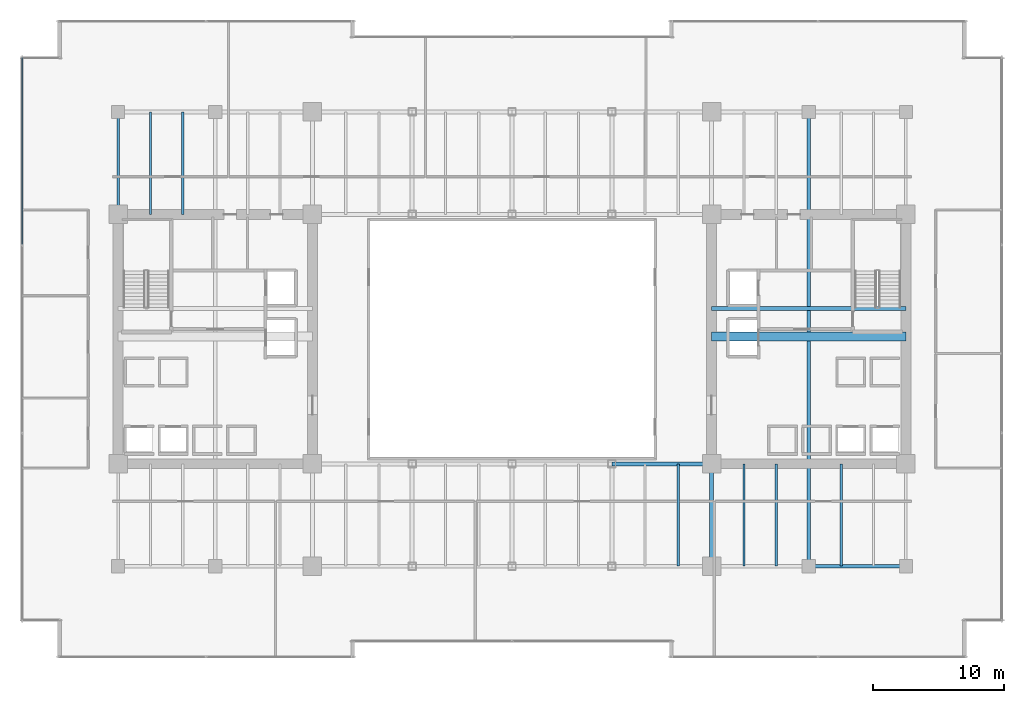
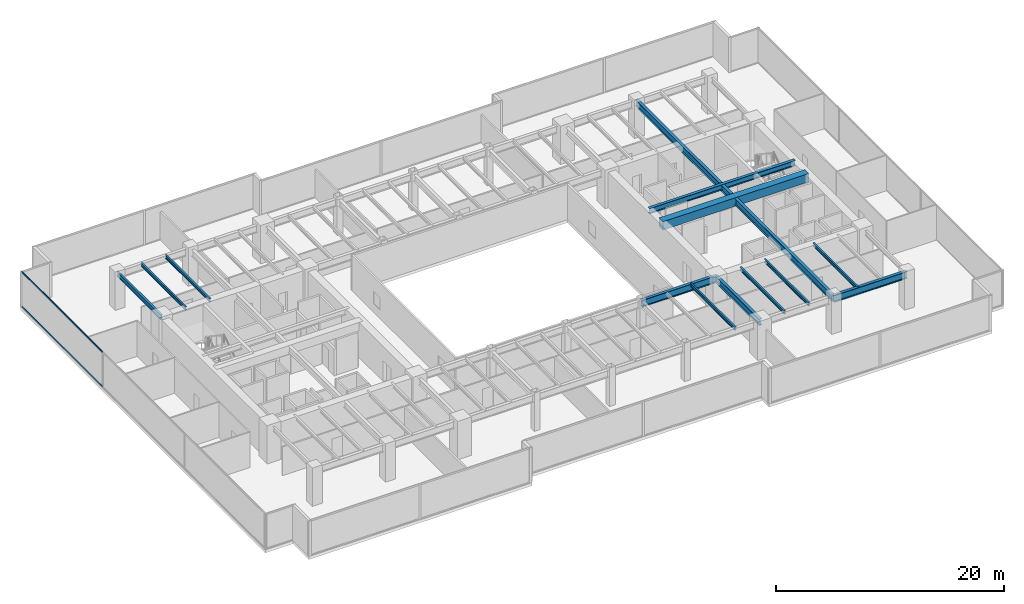
# One storey, part 11 of 35: 13 beams, 2 members, 1 element without a shape of its own.
"""IFC4 building model written with IfcOpenShell, lengths in metres."""

from ifc_helpers import new_model, si_unit, direction, frame, origin, origin_2d, place, context, subcontext, project, spatial, rectangle, hollow_rectangle, i_section, extrude, source, transform, mapped, material, layer, layer_set, material_profile, profile_set, type_object, type_shapes, element, aggregate, save


model = new_model("IFC4")

# Units and contexts
model_context = context("Model", 3, precision=1e-05, world=origin(), true_north=direction((0.0, 1.0)))
body_context = subcontext(model_context, "Body", "Model", "MODEL_VIEW")
ifc_project = project(units=[si_unit("LENGTHUNIT", "METRE"), si_unit("AREAUNIT", "SQUARE_METRE"), si_unit("VOLUMEUNIT", "CUBIC_METRE"), si_unit("PLANEANGLEUNIT", "RADIAN"), si_unit("MASSUNIT", "GRAM", prefix="KILO")], contexts=[model_context])

# Site, building, storey
site_placement = place(None, origin())
site = spatial("IfcSite", under=ifc_project, at=site_placement, CompositionType="ELEMENT")
building_placement = place(site_placement, origin())
building = spatial("IfcBuilding", under=site, at=building_placement, Name="Haelvirn Gate Laboratories", CompositionType="ELEMENT")
storey_placement = place(building_placement, frame((0.0, 0.0, 37.5)))
storey = spatial("IfcBuildingStorey", under=building, at=storey_placement, Name="L09", CompositionType="ELEMENT", Elevation=37.5)

# Beams
ifc_material_1 = material(Name="Concrete C60/75", Category="concrete")
ifc_material_profile_1 = material_profile(ifc_material_1, rectangle(XDim=0.699951171875, YDim=0.89990234375, at=origin_2d()), Name="RCB-700x900")
ifc_profile_set_1 = profile_set([ifc_material_profile_1], Name="Concrete C60/75")
beam_type_1 = type_object("IfcBeamType", Name="BM-RCB-900", PredefinedType="LINTEL", material=ifc_profile_set_1)
shared_shape_1 = source(origin(), body_context, "Body", "SweptSolid", [
    extrude(rectangle(XDim=0.699951171875, YDim=0.89990234375, at=origin_2d()), origin(), (0.0, 0.0, 1.0), 14.7998046875),
])
type_shapes(beam_type_1, [shared_shape_1])
beam_1_placement = place(storey_placement, frame((52.60009765625, 24.5, 3.330078125), z_axis=(1.0, 0.0, 0.0), x_axis=(0.0, 1.0, 0.0)))
element("IfcBeam", 1, at=beam_1_placement, inside=storey, type_object=beam_type_1, Name="L09 East Core Coupling Beam", PredefinedType="LINTEL", context=body_context, shape_type="MappedRepresentation", body=[
    mapped(shared_shape_1, transform((0.0, 0.0, 0.0), scale=1.0)),
])
ifc_material_2 = material(Name="Steel SM355", Category="steel")
ifc_material_profile_2 = material_profile(ifc_material_2, i_section(OverallWidth=0.300048828125, OverallDepth=0.587890625, WebThickness=0.011962890625, FlangeThickness=0.02001953125, at=origin_2d()), Name="H-588x300x12x20")
ifc_profile_set_2 = profile_set([ifc_material_profile_2], Name="Steel SM355")
beam_type_2 = type_object("IfcBeamType", Name="BM-G-588", PredefinedType="BEAM", material=ifc_profile_set_2)
shared_shape_2 = source(origin(), body_context, "Body", "SweptSolid", [
    extrude(i_section(OverallWidth=0.300048828125, OverallDepth=0.587890625, WebThickness=0.011962890625, FlangeThickness=0.02001953125, at=origin_2d()), origin(), (0.0, 0.0, 1.0), 14.7998046875),
])
type_shapes(beam_type_2, [shared_shape_2])
beam_2_placement = place(storey_placement, frame((52.60009765625, 26.6201171875, 3.486083984375), z_axis=(1.0, 0.0, 0.0), x_axis=(0.0, 1.0, 0.0)))
element("IfcBeam", 2, at=beam_2_placement, inside=storey, type_object=beam_type_2, Name="L09 Stair ST2 Landing Header", PredefinedType="BEAM", context=body_context, shape_type="MappedRepresentation", body=[
    mapped(shared_shape_2, transform((0.0, 0.0, 0.0), scale=1.0)),
])
ifc_material_profile_3 = material_profile(ifc_material_2, i_section(OverallWidth=0.300048828125, OverallDepth=0.699951171875, WebThickness=0.012939453125, FlangeThickness=0.02392578125, at=origin_2d()), Name="H-700x300x13x24")
ifc_profile_set_3 = profile_set([ifc_material_profile_3], Name="Steel SM355")
beam_type_3 = type_object("IfcBeamType", Name="BM-G-700", PredefinedType="BEAM", material=ifc_profile_set_3)
shared_shape_3 = source(origin(), body_context, "Body", "SweptSolid", [
    extrude(i_section(OverallWidth=0.300048828125, OverallDepth=0.699951171875, WebThickness=0.012939453125, FlangeThickness=0.02392578125, at=origin_2d()), origin(), (0.0, 0.0, 1.0), 7.800048828125),
])
beam_3_placement = place(storey_placement, frame((52.60009765625, 7.0, 3.429931640625), z_axis=(0.0, 1.0, 0.0), x_axis=(-1.0, 0.0, 0.0)))
element("IfcBeam", 3, at=beam_3_placement, inside=storey, type_object=beam_type_3, Name="L09 Frame Girder X52.6 (7.0-14.8)", PredefinedType="BEAM", context=body_context, shape_type="MappedRepresentation", body=[
    mapped(shared_shape_3, transform((0.0, 0.0, 0.0), scale=1.0)),
])
shared_shape_4 = source(origin(), body_context, "Body", "SweptSolid", [
    extrude(i_section(OverallWidth=0.300048828125, OverallDepth=0.699951171875, WebThickness=0.012939453125, FlangeThickness=0.02392578125, at=origin_2d()), origin(), (0.0, 0.0, 1.0), 34.60009765625),
])
type_shapes(beam_type_3, [shared_shape_3, shared_shape_4])
beam_4_placement = place(storey_placement, frame((60.0, 7.0, 3.429931640625), z_axis=(0.0, 1.0, 0.0), x_axis=(-1.0, 0.0, 0.0)))
element("IfcBeam", 4, at=beam_4_placement, inside=storey, type_object=beam_type_3, Name="L09 Frame Girder X60.0 (7.0-41.6)", PredefinedType="BEAM", context=body_context, shape_type="MappedRepresentation", body=[
    mapped(shared_shape_4, transform((0.0, 0.0, 0.0), scale=1.0)),
])
ifc_material_profile_4 = material_profile(ifc_material_2, i_section(OverallWidth=0.300048828125, OverallDepth=0.75, WebThickness=0.013916015625, FlangeThickness=0.02392578125, at=origin_2d()), Name="H-750x300x14x24")
ifc_profile_set_4 = profile_set([ifc_material_profile_4], Name="Steel SM355")
beam_type_4 = type_object("IfcBeamType", Name="BM-G-750", PredefinedType="BEAM", material=ifc_profile_set_4)
shared_shape_5 = source(origin(), body_context, "Body", "SweptSolid", [
    extrude(i_section(OverallWidth=0.300048828125, OverallDepth=0.75, WebThickness=0.013916015625, FlangeThickness=0.02392578125, at=origin_2d()), origin(), (0.0, 0.0, 1.0), 7.39990234375),
])
beam_5_placement = place(storey_placement, frame((60.0, 7.0, 3.405029296875), z_axis=(1.0, 0.0, 0.0), x_axis=(0.0, 1.0, 0.0)))
element("IfcBeam", 5, at=beam_5_placement, inside=storey, type_object=beam_type_4, Name="L09 Primary Girder Y7.0 (60.0-67.4)", PredefinedType="BEAM", context=body_context, shape_type="MappedRepresentation", body=[
    mapped(shared_shape_5, transform((0.0, 0.0, 0.0), scale=1.0)),
])
shared_shape_6 = source(origin(), body_context, "Body", "SweptSolid", [
    extrude(i_section(OverallWidth=0.300048828125, OverallDepth=0.75, WebThickness=0.013916015625, FlangeThickness=0.02392578125, at=origin_2d()), origin(), (0.0, 0.0, 1.0), 7.60009765625),
])
type_shapes(beam_type_4, [shared_shape_5, shared_shape_6])
beam_6_placement = place(storey_placement, frame((45.0, 14.800048828125, 3.405029296875), z_axis=(1.0, 0.0, 0.0), x_axis=(0.0, 1.0, 0.0)))
element("IfcBeam", 6, at=beam_6_placement, inside=storey, type_object=beam_type_4, Name="L09 Primary Girder Y14.8 (45.0-52.6)", PredefinedType="BEAM", context=body_context, shape_type="MappedRepresentation", body=[
    mapped(shared_shape_6, transform((0.0, 0.0, 0.0), scale=1.0)),
])
ifc_material_profile_5 = material_profile(ifc_material_2, i_section(OverallWidth=0.199951171875, OverallDepth=0.5, WebThickness=0.010009765625, FlangeThickness=0.01611328125, at=origin_2d()), Name="H-500x200x10x16")
ifc_profile_set_5 = profile_set([ifc_material_profile_5], Name="Steel SM355")
beam_type_5 = type_object("IfcBeamType", Name="BM-SP-500", PredefinedType="SPANDREL", material=ifc_profile_set_5)
shared_shape_7 = source(origin(), body_context, "Body", "SweptSolid", [
    extrude(i_section(OverallWidth=0.199951171875, OverallDepth=0.5, WebThickness=0.010009765625, FlangeThickness=0.01611328125, at=origin_2d()), origin(), (0.0, 0.0, 1.0), 7.800048828125),
])
type_shapes(beam_type_5, [shared_shape_7])
beam_7_placement = place(storey_placement, frame((7.39990234375, 33.800048828125, 3.530029296875), z_axis=(0.0, 1.0, 0.0), x_axis=(-1.0, 0.0, 0.0)))
element("IfcBeam", 7, at=beam_7_placement, inside=storey, type_object=beam_type_5, Name="L09 Perimeter Spandrel X7.4 (33.8-41.6)", PredefinedType="SPANDREL", context=body_context, shape_type="MappedRepresentation", body=[
    mapped(shared_shape_7, transform((0.0, 0.0, 0.0), scale=1.0)),
])
ifc_material_profile_6 = material_profile(ifc_material_2, i_section(OverallWidth=0.175048828125, OverallDepth=0.35009765625, WebThickness=0.007080078125, FlangeThickness=0.010986328125, at=origin_2d()), Name="H-350x175x7x11")
ifc_profile_set_6 = profile_set([ifc_material_profile_6], Name="Steel SM355")
beam_type_6 = type_object("IfcBeamType", Name="BM-J-350", PredefinedType="JOIST", material=ifc_profile_set_6)
shared_shape_8 = source(origin(), body_context, "Body", "SweptSolid", [
    extrude(i_section(OverallWidth=0.175048828125, OverallDepth=0.35009765625, WebThickness=0.007080078125, FlangeThickness=0.010986328125, at=origin_2d()), origin(), (0.0, 0.0, 1.0), 7.800048828125),
])
type_shapes(beam_type_6, [shared_shape_8])
for number, where, z_axis, x_axis, name in (
    (8, (9.8701171875, 33.800048828125, 3.60498046875), (0.0, 1.0, 0.0), (-1.0, 0.0, 0.0), "L09 Composite Lab Joist North X9.87"),
    (9, (12.330078125, 33.800048828125, 3.60498046875), (0.0, 1.0, 0.0), (-1.0, 0.0, 0.0), "L09 Composite Lab Joist North X12.33"),
    (10, (50.070068359375, 7.0, 3.60498046875), (0.0, 1.0, 0.0), (-1.0, 0.0, 0.0), "L09 Composite Lab Joist South X50.07"),
    (11, (55.070068359375, 7.0, 3.60498046875), (0.0, 1.0, 0.0), (-1.0, 0.0, 0.0), "L09 Composite Lab Joist South X55.07"),
    (12, (57.530029296875, 7.0, 3.60498046875), (0.0, 1.0, 0.0), (-1.0, 0.0, 0.0), "L09 Composite Lab Joist South X57.53"),
    (13, (62.469970703125, 7.0, 3.60498046875), (0.0, 1.0, 0.0), (-1.0, 0.0, 0.0), "L09 Composite Lab Joist South X62.47"),
):
    element("IfcBeam", number, at=place(storey_placement, frame(where, z_axis=z_axis, x_axis=x_axis)), inside=storey, type_object=beam_type_6, Name=name, PredefinedType="JOIST", context=body_context, shape_type="MappedRepresentation", body=[
        mapped(shared_shape_8, transform((0.0, 0.0, 0.0), scale=1.0)),
    ])

# Curtain wall, members
ifc_material_3 = material(Name="Anodised bronze unitised aluminium & triple low-E glass", Category="aluminium")
ifc_layer = layer(ifc_material_3, 0.18408203125, Name="CW-SYS-2")
ifc_layer_set = layer_set([ifc_layer], Name="Anodised bronze unitised aluminium & triple low-E glass")
curtain_wall_type = type_object("IfcCurtainWallType", Name="CW-SYS-2", PredefinedType="NOTDEFINED", material=ifc_layer_set)
curtain_wall_placement = place(storey_placement, origin())
curtain_wall = element("IfcCurtainWall", 14, at=curtain_wall_placement, inside=storey, type_object=curtain_wall_type, Name="L09 Unitised Curtain Wall CW-L09-P0-E17", PredefinedType="NOTDEFINED")
ifc_material_4 = material(Name="Extruded aluminium 6063-T6 (anodised bronze)", Category="aluminium")
ifc_material_profile_7 = material_profile(ifc_material_4, hollow_rectangle(XDim=0.070068359375, YDim=0.159912109375, WallThickness=0.0048828125, at=origin_2d()), Name="CWT-160x70x5")
ifc_profile_set_7 = profile_set([ifc_material_profile_7], Name="Extruded aluminium 6063-T6 (anodised bronze)")
member_type = type_object("IfcMemberType", Name="CWT-T160", PredefinedType="USERDEFINED", material=ifc_profile_set_7)
shared_shape_9 = source(origin(), body_context, "Body", "SweptSolid", [
    extrude(hollow_rectangle(XDim=0.070068359375, YDim=0.159912109375, WallThickness=0.0048828125, at=origin_2d()), origin(), (0.0, 0.0, 1.0), 14.220947265625),
])
type_shapes(member_type, [shared_shape_9])
member_1_placement = place(storey_placement, frame((0.10009765625, 45.72509765625, 0.034912109375), z_axis=(0.0, -1.0, 0.0), x_axis=(1.0, 0.0, 0.0)))
member_1 = element("IfcMember", 15, at=member_1_placement, type_object=member_type, Name="CW2 transom 1.1", ObjectType="TRANSOM", PredefinedType="USERDEFINED", context=body_context, shape_type="MappedRepresentation", body=[
    mapped(shared_shape_9, transform((0.0, 0.0, 0.0), scale=1.0)),
])
member_2_placement = place(storey_placement, frame((0.10009765625, 45.72509765625, 3.7451171875), z_axis=(0.0, -1.0, 0.0), x_axis=(1.0, 0.0, 0.0)))
member_2 = element("IfcMember", 16, at=member_2_placement, type_object=member_type, Name="CW2 transom 1.2", ObjectType="TRANSOM", PredefinedType="USERDEFINED", context=body_context, shape_type="MappedRepresentation", body=[
    mapped(shared_shape_9, transform((0.0, 0.0, 0.0), scale=1.0)),
])
aggregate(curtain_wall, [member_1, member_2])

save(model, "model.ifc")
